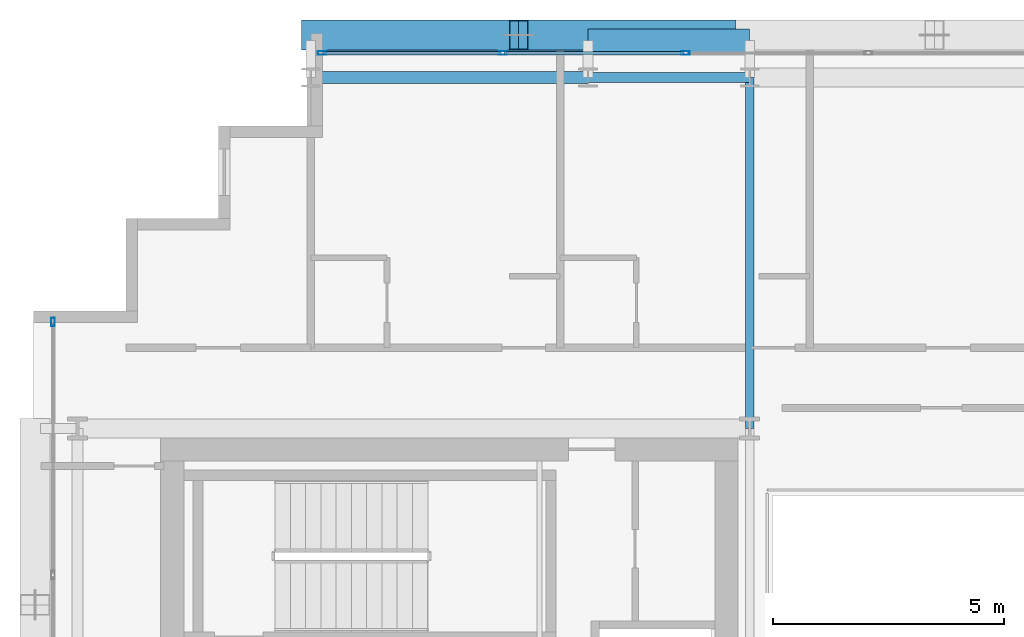
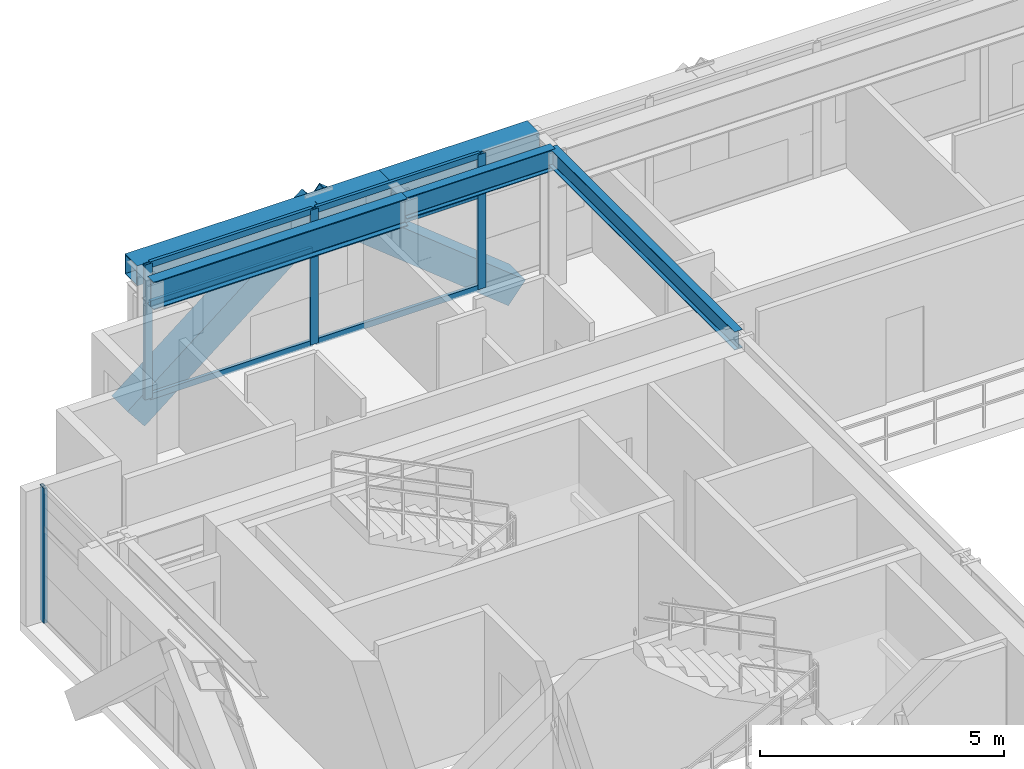
# One storey, part 16 of 31: 12 members, 5 beams, 2 elements without a shape of their own.
"""IFC4 building model written with IfcOpenShell, lengths in metres."""

from ifc_helpers import new_model, si_unit, direction, frame, origin, origin_2d, place, context, subcontext, project, spatial, hollow_rectangle, i_section, extrude, source, transform, mapped, material, layer, layer_set, material_profile, profile_set, type_object, element, aggregate, save


model = new_model("IFC4")

# Units and contexts
model_context = context("Model", 3, precision=1e-05, world=origin(), true_north=direction((0.0, 1.0)))
body_context = subcontext(model_context, "Body", "Model", "MODEL_VIEW")
ifc_project = project(units=[si_unit("LENGTHUNIT", "METRE"), si_unit("AREAUNIT", "SQUARE_METRE"), si_unit("VOLUMEUNIT", "CUBIC_METRE"), si_unit("PLANEANGLEUNIT", "RADIAN"), si_unit("MASSUNIT", "GRAM", prefix="KILO")], contexts=[model_context])

# Site, building, storey
site_placement = place(None, origin())
site = spatial("IfcSite", under=ifc_project, at=site_placement, CompositionType="ELEMENT")
building_placement = place(site_placement, origin())
building = spatial("IfcBuilding", under=site, at=building_placement, Name="Ocotamira Hotel", CompositionType="ELEMENT")
storey_placement = place(building_placement, frame((0.0, 0.0, 202.800048828125)))
storey = spatial("IfcBuildingStorey", under=building, at=storey_placement, Name="L51", CompositionType="ELEMENT", Elevation=202.800048828125)

# Beams
ifc_material_1 = material(Name="Steel ASTM A992 Grade 50", Category="steel")
ifc_material_profile_1 = material_profile(ifc_material_1, i_section(OverallWidth=0.256103515625, OverallDepth=0.693115234375, WebThickness=0.014404296875, FlangeThickness=0.023681640625, FilletRadius=0.01611328125, at=origin_2d()), Name="W27X114")
ifc_profile_set_1 = profile_set([ifc_material_profile_1], Name="Steel ASTM A992 Grade 50")
beam_type_1 = type_object("IfcBeamType", Name="BM-PRIM-W27X114", PredefinedType="BEAM", material=ifc_profile_set_1)
shared_shape_1 = source(origin(), body_context, "Body", "SweptSolid", [
    extrude(i_section(OverallWidth=0.256103515625, OverallDepth=0.693115234375, WebThickness=0.014404296875, FlangeThickness=0.023681640625, FilletRadius=0.01611328125, at=origin_2d()), origin(), (0.0, 0.0, 1.0), 6.0),
])
beam_1_placement = place(storey_placement, frame((14.0, 45.050048828125, 3.0234375), z_axis=(1.0, 0.0, 0.0), x_axis=(0.0, 1.0, 0.0)))
element("IfcBeam", 1, at=beam_1_placement, inside=storey, type_object=beam_type_1, Name="L51 Girder Y45.05 X14-20", PredefinedType="BEAM", context=body_context, shape_type="MappedRepresentation", body=[
    mapped(shared_shape_1, transform((0.0, 0.0, 0.0), scale=1.0)),
])
ifc_material_profile_2 = material_profile(ifc_material_1, i_section(OverallWidth=0.2099609375, OverallDepth=0.537109375, WebThickness=0.010986328125, FlangeThickness=0.017333984375, FilletRadius=0.012939453125, at=origin_2d()), Name="W21X68")
ifc_profile_set_2 = profile_set([ifc_material_profile_2], Name="Steel ASTM A992 Grade 50")
beam_type_2 = type_object("IfcBeamType", Name="BM-SEC-W21X68", PredefinedType="JOIST", material=ifc_profile_set_2)
shared_shape_2 = source(origin(), body_context, "Body", "SweptSolid", [
    extrude(i_section(OverallWidth=0.2099609375, OverallDepth=0.537109375, WebThickness=0.010986328125, FlangeThickness=0.017333984375, FilletRadius=0.012939453125, at=origin_2d()), origin(), (0.0, 0.0, 1.0), 3.5),
])
beam_2_placement = place(storey_placement, frame((20.0, 45.050048828125, 3.1015625), z_axis=(1.0, 0.0, 0.0), x_axis=(0.0, 1.0, 0.0)))
element("IfcBeam", 2, at=beam_2_placement, inside=storey, type_object=beam_type_2, Name="L51 Girder Y45.05 X20-23.5", PredefinedType="JOIST", context=body_context, shape_type="MappedRepresentation", body=[
    mapped(shared_shape_2, transform((0.0, 0.0, 0.0), scale=1.0)),
])
ifc_material_2 = material(Name="Steel ASTM A500 Grade C", Category="steel")
ifc_material_profile_3 = material_profile(ifc_material_2, hollow_rectangle(XDim=0.5, YDim=0.5, WallThickness=0.02001953125, at=origin_2d()), Name="HSS500X500X20")
ifc_profile_set_3 = profile_set([ifc_material_profile_3], Name="Steel ASTM A500 Grade C")
beam_type_3 = type_object("IfcBeamType", Name="BM-SPAN-HSS500", PredefinedType="USERDEFINED", material=ifc_profile_set_3)
shared_shape_3 = source(origin(), body_context, "Body", "SweptSolid", [
    extrude(hollow_rectangle(XDim=0.5, YDim=0.5, WallThickness=0.02001953125, at=origin_2d()), origin(), (0.0, 0.0, 1.0), 6.0),
])
beam_3_placement = place(storey_placement, frame((14.0, 45.85009765625, 3.119873046875), z_axis=(1.0, 0.0, 0.0), x_axis=(0.0, 1.0, 0.0)))
element("IfcBeam", 3, at=beam_3_placement, inside=storey, type_object=beam_type_3, Name="L51 Edge Spandrel N X14-20", ObjectType="SPANDREL", PredefinedType="USERDEFINED", context=body_context, shape_type="MappedRepresentation", body=[
    mapped(shared_shape_3, transform((0.0, 0.0, 0.0), scale=1.0)),
])
shared_shape_4 = source(origin(), body_context, "Body", "SweptSolid", [
    extrude(hollow_rectangle(XDim=0.5, YDim=0.5, WallThickness=0.02001953125, at=origin_2d()), origin(), (0.0, 0.0, 1.0), 3.5),
])
beam_4_placement = place(storey_placement, frame((20.0, 45.85009765625, 3.119873046875), z_axis=(1.0, 0.0, 0.0), x_axis=(0.0, 1.0, 0.0)))
element("IfcBeam", 4, at=beam_4_placement, inside=storey, type_object=beam_type_3, Name="L51 Edge Spandrel N X20-23.5", ObjectType="SPANDREL", PredefinedType="USERDEFINED", context=body_context, shape_type="MappedRepresentation", body=[
    mapped(shared_shape_4, transform((0.0, 0.0, 0.0), scale=1.0)),
])
ifc_material_profile_4 = material_profile(ifc_material_1, i_section(OverallWidth=0.18994140625, OverallDepth=0.45703125, WebThickness=0.009033203125, FlangeThickness=0.014404296875, FilletRadius=0.010009765625, at=origin_2d()), Name="W18X50")
ifc_profile_set_4 = profile_set([ifc_material_profile_4], Name="Steel ASTM A992 Grade 50")
beam_type_4 = type_object("IfcBeamType", Name="BM-SEC-W18X50", PredefinedType="JOIST", material=ifc_profile_set_4)
shared_shape_5 = source(origin(), body_context, "Body", "SweptSolid", [
    extrude(i_section(OverallWidth=0.18994140625, OverallDepth=0.45703125, WebThickness=0.009033203125, FlangeThickness=0.014404296875, FilletRadius=0.010009765625, at=origin_2d()), origin(), (0.0, 0.0, 1.0), 7.60009765625),
])
beam_5_placement = place(storey_placement, frame((23.5, 37.449951171875, 3.141357421875), z_axis=(0.0, 1.0, 0.0), x_axis=(-1.0, 0.0, 0.0)))
element("IfcBeam", 5, at=beam_5_placement, inside=storey, type_object=beam_type_4, Name="L51 Beam X23.5 Y37.45-45.05", PredefinedType="JOIST", context=body_context, shape_type="MappedRepresentation", body=[
    mapped(shared_shape_5, transform((0.0, 0.0, 0.0), scale=1.0)),
])

# Members
ifc_material_3 = material(Name="Pale-metal coated steel ASTM A913 Grade 65", Category="steel")
ifc_material_profile_5 = material_profile(ifc_material_3, hollow_rectangle(XDim=0.64990234375, YDim=0.64990234375, WallThickness=0.02197265625, at=origin_2d()), Name="BOX650X650X22")
ifc_profile_set_5 = profile_set([ifc_material_profile_5], Name="Pale-metal coated steel ASTM A913 Grade 65")
member_type_1 = type_object("IfcMemberType", Name="MEM-EXO-BOX650", PredefinedType="BRACE", material=ifc_profile_set_5)
shared_shape_6 = source(origin(), body_context, "Body", "SweptSolid", [
    extrude(hollow_rectangle(XDim=0.64990234375, YDim=0.64990234375, WallThickness=0.02197265625, at=origin_2d()), origin(), (0.0, 0.0, 1.0), 5.7626953125),
])
for number, where, z_axis, x_axis, name in (
    (6, (14.0, 45.969970703125, -0.47998046875), (0.780881208953, 0.0, 0.624679547852), (0.0, 1.0, 0.0), "L51 Exoskeleton Diagrid N0.1"),
    (7, (23.0, 45.969970703125, -0.47998046875), (-0.780881208953, 0.0, 0.624679547852), (0.0, -1.0, 0.0), "L51 Exoskeleton Diagrid N0.2"),
):
    element("IfcMember", number, at=place(storey_placement, frame(where, z_axis=z_axis, x_axis=x_axis)), inside=storey, type_object=member_type_1, Name=name, PredefinedType="BRACE", context=body_context, shape_type="MappedRepresentation", body=[
        mapped(shared_shape_6, transform((0.0, 0.0, 0.0), scale=1.0)),
    ])

# Curtain wall, members
ifc_material_4 = material(Name="Anodised pale-metal aluminium and solar glass", Category="aluminium")
ifc_layer = layer(ifc_material_4, 0.199951171875)
ifc_layer_set = layer_set([ifc_layer], Name="Anodised pale-metal aluminium and solar glass")
curtain_wall_type = type_object("IfcCurtainWallType", Name="CW-SYS4-Z3", PredefinedType="NOTDEFINED", material=ifc_layer_set)
curtain_wall_1_placement = place(storey_placement, origin())
curtain_wall_1 = element("IfcCurtainWall", 8, at=curtain_wall_1_placement, inside=storey, type_object=curtain_wall_type, Name="L51 Curtain Wall CW-4 CW-L51-N", PredefinedType="NOTDEFINED")
ifc_material_5 = material(Name="Anodised pale-metal aluminium 6063-T6", Category="aluminium")
ifc_material_profile_6 = material_profile(ifc_material_5, hollow_rectangle(XDim=0.074951171875, YDim=0.14990234375, WallThickness=0.006103515625, at=origin_2d()), Name="HSS150X75X6")
ifc_profile_set_6 = profile_set([ifc_material_profile_6], Name="Anodised pale-metal aluminium 6063-T6")
member_type_2 = type_object("IfcMemberType", Name="CWT-150X75", PredefinedType="USERDEFINED", material=ifc_profile_set_6)
shared_shape_7 = source(origin(), body_context, "Body", "SweptSolid", [
    extrude(hollow_rectangle(XDim=0.074951171875, YDim=0.14990234375, WallThickness=0.006103515625, at=origin_2d()), origin(), (0.0, 0.0, 1.0), 3.83544921875),
])
member_1_placement = place(storey_placement, frame((14.280029296875, 45.580078125, 0.037353515625), z_axis=(1.0, 0.0, 0.0), x_axis=(0.0, 1.0, 0.0)))
member_1 = element("IfcMember", 9, at=member_1_placement, type_object=member_type_2, Name="CW-4 transom 1.1", ObjectType="TRANSOM", PredefinedType="USERDEFINED", context=body_context, shape_type="MappedRepresentation", body=[
    mapped(shared_shape_7, transform((0.0, 0.0, 0.0), scale=1.0)),
])
member_2_placement = place(storey_placement, frame((14.280029296875, 45.580078125, 2.349853515625), z_axis=(1.0, 0.0, 0.0), x_axis=(0.0, 1.0, 0.0)))
member_2 = element("IfcMember", 10, at=member_2_placement, type_object=member_type_2, Name="CW-4 transom 1.2", ObjectType="TRANSOM", PredefinedType="USERDEFINED", context=body_context, shape_type="MappedRepresentation", body=[
    mapped(shared_shape_7, transform((0.0, 0.0, 0.0), scale=1.0)),
])
member_3_placement = place(storey_placement, frame((14.280029296875, 45.580078125, 3.33251953125), z_axis=(1.0, 0.0, 0.0), x_axis=(0.0, 1.0, 0.0)))
member_3 = element("IfcMember", 11, at=member_3_placement, type_object=member_type_2, Name="CW-4 transom 1.3", ObjectType="TRANSOM", PredefinedType="USERDEFINED", context=body_context, shape_type="MappedRepresentation", body=[
    mapped(shared_shape_7, transform((0.0, 0.0, 0.0), scale=1.0)),
])
shared_shape_8 = source(origin(), body_context, "Body", "SweptSolid", [
    extrude(hollow_rectangle(XDim=0.074951171875, YDim=0.14990234375, WallThickness=0.006103515625, at=origin_2d()), origin(), (0.0, 0.0, 1.0), 3.87548828125),
])
member_4_placement = place(storey_placement, frame((18.195556640625, 45.580078125, 0.037353515625), z_axis=(1.0, 0.0, 0.0), x_axis=(0.0, 1.0, 0.0)))
member_4 = element("IfcMember", 12, at=member_4_placement, type_object=member_type_2, Name="CW-4 transom 2.1", ObjectType="TRANSOM", PredefinedType="USERDEFINED", context=body_context, shape_type="MappedRepresentation", body=[
    mapped(shared_shape_8, transform((0.0, 0.0, 0.0), scale=1.0)),
])
member_5_placement = place(storey_placement, frame((18.195556640625, 45.580078125, 2.349853515625), z_axis=(1.0, 0.0, 0.0), x_axis=(0.0, 1.0, 0.0)))
member_5 = element("IfcMember", 13, at=member_5_placement, type_object=member_type_2, Name="CW-4 transom 2.2", ObjectType="TRANSOM", PredefinedType="USERDEFINED", context=body_context, shape_type="MappedRepresentation", body=[
    mapped(shared_shape_8, transform((0.0, 0.0, 0.0), scale=1.0)),
])
member_6_placement = place(storey_placement, frame((18.195556640625, 45.580078125, 3.33251953125), z_axis=(1.0, 0.0, 0.0), x_axis=(0.0, 1.0, 0.0)))
member_6 = element("IfcMember", 14, at=member_6_placement, type_object=member_type_2, Name="CW-4 transom 2.3", ObjectType="TRANSOM", PredefinedType="USERDEFINED", context=body_context, shape_type="MappedRepresentation", body=[
    mapped(shared_shape_8, transform((0.0, 0.0, 0.0), scale=1.0)),
])
ifc_material_profile_7 = material_profile(ifc_material_5, hollow_rectangle(XDim=0.080078125, YDim=0.179931640625, WallThickness=0.006103515625, at=origin_2d()), Name="HSS180X80X6")
ifc_profile_set_7 = profile_set([ifc_material_profile_7], Name="Anodised pale-metal aluminium 6063-T6")
member_type_3 = type_object("IfcMemberType", Name="CWM-180X75", PredefinedType="MULLION", material=ifc_profile_set_7)
shared_shape_9 = source(origin(), body_context, "Body", "SweptSolid", [
    extrude(hollow_rectangle(XDim=0.080078125, YDim=0.179931640625, WallThickness=0.006103515625, at=origin_2d()), origin(), (0.0, 0.0, 1.0), 3.369873046875),
])
member_7_placement = place(storey_placement, frame((14.239990234375, 45.580078125, 0.0), z_axis=(0.0, 0.0, 1.0), x_axis=(0.0, 1.0, 0.0)))
member_7 = element("IfcMember", 15, at=member_7_placement, type_object=member_type_3, Name="CW-4 mullion 1", PredefinedType="MULLION", context=body_context, shape_type="MappedRepresentation", body=[
    mapped(shared_shape_9, transform((0.0, 0.0, 0.0), scale=1.0)),
])
member_8_placement = place(storey_placement, frame((18.155517578125, 45.580078125, 0.0), z_axis=(0.0, 0.0, 1.0), x_axis=(0.0, 1.0, 0.0)))
member_8 = element("IfcMember", 16, at=member_8_placement, type_object=member_type_3, Name="CW-4 mullion 2", PredefinedType="MULLION", context=body_context, shape_type="MappedRepresentation", body=[
    mapped(shared_shape_9, transform((0.0, 0.0, 0.0), scale=1.0)),
])
member_9_placement = place(storey_placement, frame((22.111083984375, 45.580078125, 0.0), z_axis=(0.0, 0.0, 1.0), x_axis=(0.0, 1.0, 0.0)))
member_9 = element("IfcMember", 17, at=member_9_placement, type_object=member_type_3, Name="CW-4 mullion 3", PredefinedType="MULLION", context=body_context, shape_type="MappedRepresentation", body=[
    mapped(shared_shape_9, transform((0.0, 0.0, 0.0), scale=1.0)),
])
aggregate(curtain_wall_1, [member_7, member_8, member_9, member_1, member_2, member_3, member_4, member_5, member_6])

# Curtain wall, member
curtain_wall_2_placement = place(storey_placement, origin())
curtain_wall_2 = element("IfcCurtainWall", 18, at=curtain_wall_2_placement, inside=storey, type_object=curtain_wall_type, Name="L51 Curtain Wall CW-4 CW-L51-W", PredefinedType="NOTDEFINED")
member_10_placement = place(storey_placement, frame((8.419921875, 39.760009765625, 0.0), z_axis=(0.0, 0.0, 1.0), x_axis=(-1.0, 0.0, 0.0)))
member_10 = element("IfcMember", 19, at=member_10_placement, type_object=member_type_3, Name="CW-4 mullion 6", PredefinedType="MULLION", context=body_context, shape_type="MappedRepresentation", body=[
    mapped(shared_shape_9, transform((0.0, 0.0, 0.0), scale=1.0)),
])
aggregate(curtain_wall_2, [member_10])

save(model, "model.ifc")
